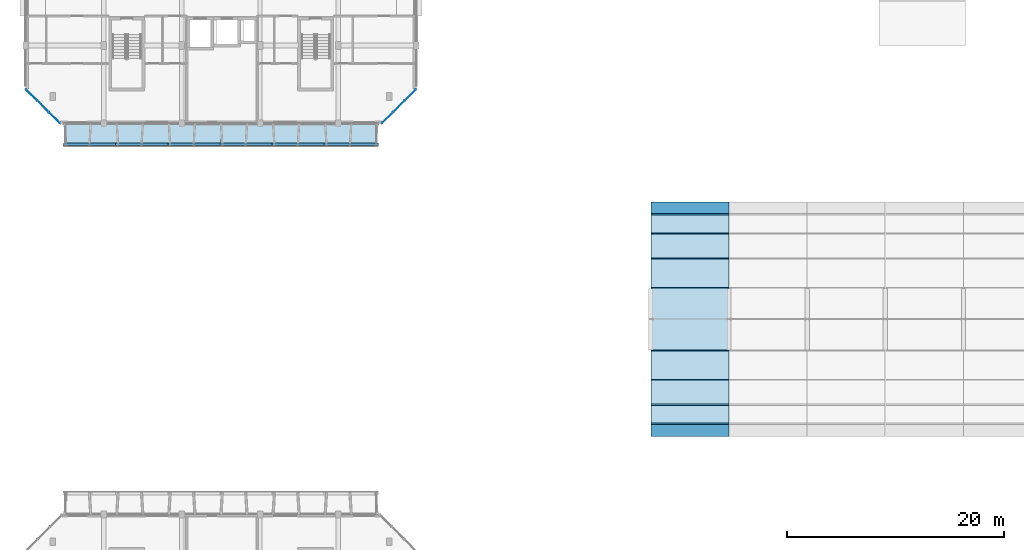
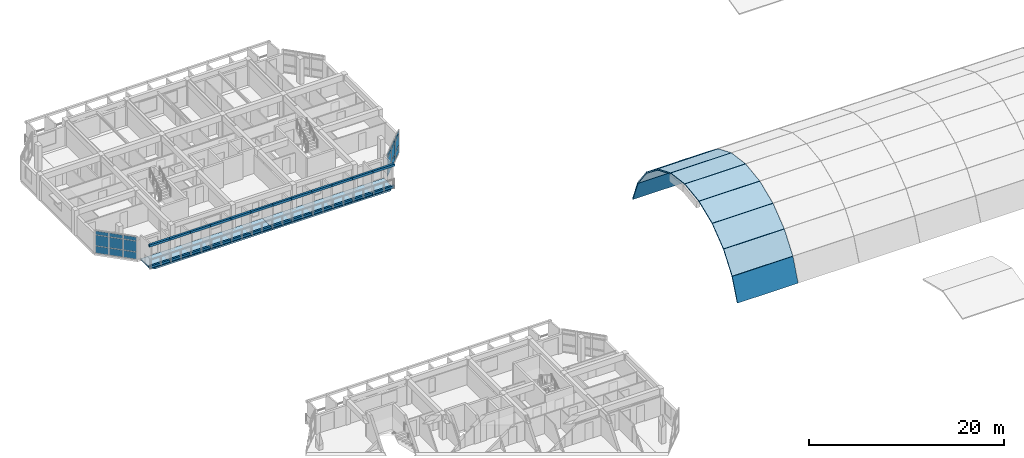
# One storey, part 13 of 51: 42 plates, 12 slabs, 3 elements without a shape of their own.
"""IFC4 building model written with IfcOpenShell, lengths in metres."""

from ifc_helpers import new_model, si_unit, direction, frame, origin, origin_2d, place, context, subcontext, project, spatial, polyline, rectangle, outline, extrude, material, layer, layer_set, type_object, element, aggregate, save


model = new_model("IFC4")

# Units and contexts
model_context = context("Model", 3, precision=1e-05, world=origin(), true_north=direction((0.0, 1.0)))
body_context = subcontext(model_context, "Body", "Model", "MODEL_VIEW")
ifc_project = project(units=[si_unit("LENGTHUNIT", "METRE"), si_unit("AREAUNIT", "SQUARE_METRE"), si_unit("VOLUMEUNIT", "CUBIC_METRE"), si_unit("PLANEANGLEUNIT", "RADIAN"), si_unit("MASSUNIT", "GRAM", prefix="KILO")], contexts=[model_context])

# Site, building, storey
site_placement = place(None, origin())
site = spatial("IfcSite", under=ifc_project, at=site_placement, CompositionType="ELEMENT")
building_placement = place(site_placement, origin())
building = spatial("IfcBuilding", under=site, at=building_placement, Name="Ochrevale Crest", CompositionType="ELEMENT")
storey_placement = place(building_placement, frame((0.0, 0.0, 11.85009765625)))
storey = spatial("IfcBuildingStorey", under=building, at=storey_placement, Name="L03", CompositionType="ELEMENT", Elevation=11.85009765625)

# Curtain wall, plates
ifc_material_1 = material(Name="Anodised aluminium 6063-T5", Category="aluminium")
ifc_layer_1 = layer(ifc_material_1, 0.14990234375)
ifc_layer_set_1 = layer_set([ifc_layer_1], Name="Anodised aluminium 6063-T5")
curtain_wall_type_1 = type_object("IfcCurtainWallType", Name="CW-WG-240x285", PredefinedType="NOTDEFINED", material=ifc_layer_set_1)
curtain_wall_1_placement = place(storey_placement, origin())
curtain_wall_1 = element("IfcCurtainWall", 1, at=curtain_wall_1_placement, inside=storey, type_object=curtain_wall_type_1, Name="Block B L03 chamfered corner wintergarden curtain wall 2", PredefinedType="NOTDEFINED")
ifc_material_2 = material(Name="Double-glazed low-E insulated glass unit", Category="glass")
ifc_layer_2 = layer(ifc_material_2, 0.028076171875)
ifc_layer_set_2 = layer_set([ifc_layer_2], Name="Double-glazed low-E insulated glass unit")
plate_type_1 = type_object("IfcPlateType", Name="CW-PNL-IGU28", PredefinedType="CURTAIN_PANEL", material=ifc_layer_set_2)
plate_1_placement = place(storey_placement, frame((33.3466796875, 72.546630859375, 0.06005859375), z_axis=(0.0, 0.0, 1.0), x_axis=(0.707106781187, 0.707106781187, 0.0)))
plate_1 = element("IfcPlate", 2, at=plate_1_placement, type_object=plate_type_1, Name="CW15 panel 1.1", PredefinedType="CURTAIN_PANEL", context=body_context, shape_type="SweptSolid", body=[
    extrude(rectangle(XDim=1.39599609375, YDim=0.028076171875, at=origin_2d()), origin(), (0.0, 0.0, 1.0), 0.860107421875),
])
plate_2_placement = place(storey_placement, frame((33.3466796875, 72.546630859375, 0.97998046875), z_axis=(0.0, 0.0, 1.0), x_axis=(0.707106781187, 0.707106781187, 0.0)))
plate_2 = element("IfcPlate", 3, at=plate_2_placement, type_object=plate_type_1, Name="CW15 panel 1.2", PredefinedType="CURTAIN_PANEL", context=body_context, shape_type="SweptSolid", body=[
    extrude(rectangle(XDim=1.39599609375, YDim=0.028076171875, at=origin_2d()), origin(), (0.0, 0.0, 1.0), 1.31494140625),
])
plate_3_placement = place(storey_placement, frame((33.3466796875, 72.546630859375, 2.35498046875), z_axis=(0.0, 0.0, 1.0), x_axis=(0.707106781187, 0.707106781187, 0.0)))
plate_3 = element("IfcPlate", 4, at=plate_3_placement, type_object=plate_type_1, Name="CW15 panel 1.3", PredefinedType="CURTAIN_PANEL", context=body_context, shape_type="SweptSolid", body=[
    extrude(rectangle(XDim=1.39599609375, YDim=0.028076171875, at=origin_2d()), origin(), (0.0, 0.0, 1.0), 0.4599609375),
])
plate_4_placement = place(storey_placement, frame((34.39990234375, 73.60009765625, 0.06005859375), z_axis=(0.0, 0.0, 1.0), x_axis=(0.707106781187, 0.707106781187, 0.0)))
plate_4 = element("IfcPlate", 5, at=plate_4_placement, type_object=plate_type_1, Name="CW15 panel 2.1", PredefinedType="CURTAIN_PANEL", context=body_context, shape_type="SweptSolid", body=[
    extrude(rectangle(XDim=1.43359375, YDim=0.028076171875, at=origin_2d()), origin(), (0.0, 0.0, 1.0), 0.860107421875),
])
plate_5_placement = place(storey_placement, frame((34.39990234375, 73.60009765625, 0.97998046875), z_axis=(0.0, 0.0, 1.0), x_axis=(0.707106781187, 0.707106781187, 0.0)))
plate_5 = element("IfcPlate", 6, at=plate_5_placement, type_object=plate_type_1, Name="CW15 panel 2.2", PredefinedType="CURTAIN_PANEL", context=body_context, shape_type="SweptSolid", body=[
    extrude(rectangle(XDim=1.43359375, YDim=0.028076171875, at=origin_2d()), origin(), (0.0, 0.0, 1.0), 1.31494140625),
])
plate_6_placement = place(storey_placement, frame((34.39990234375, 73.60009765625, 2.35498046875), z_axis=(0.0, 0.0, 1.0), x_axis=(0.707106781187, 0.707106781187, 0.0)))
plate_6 = element("IfcPlate", 7, at=plate_6_placement, type_object=plate_type_1, Name="CW15 panel 2.3", PredefinedType="CURTAIN_PANEL", context=body_context, shape_type="SweptSolid", body=[
    extrude(rectangle(XDim=1.43359375, YDim=0.028076171875, at=origin_2d()), origin(), (0.0, 0.0, 1.0), 0.4599609375),
])
plate_7_placement = place(storey_placement, frame((35.453369140625, 74.6533203125, 0.06005859375), z_axis=(0.0, 0.0, 1.0), x_axis=(0.707106781187, 0.707106781187, 0.0)))
plate_7 = element("IfcPlate", 8, at=plate_7_placement, type_object=plate_type_1, Name="CW15 panel 3.1", PredefinedType="CURTAIN_PANEL", context=body_context, shape_type="SweptSolid", body=[
    extrude(rectangle(XDim=1.39599609375, YDim=0.028076171875, at=origin_2d()), origin(), (0.0, 0.0, 1.0), 0.860107421875),
])
plate_8_placement = place(storey_placement, frame((35.453369140625, 74.6533203125, 0.97998046875), z_axis=(0.0, 0.0, 1.0), x_axis=(0.707106781187, 0.707106781187, 0.0)))
plate_8 = element("IfcPlate", 9, at=plate_8_placement, type_object=plate_type_1, Name="CW15 panel 3.2", PredefinedType="CURTAIN_PANEL", context=body_context, shape_type="SweptSolid", body=[
    extrude(rectangle(XDim=1.39599609375, YDim=0.028076171875, at=origin_2d()), origin(), (0.0, 0.0, 1.0), 1.31494140625),
])
plate_9_placement = place(storey_placement, frame((35.453369140625, 74.6533203125, 2.35498046875), z_axis=(0.0, 0.0, 1.0), x_axis=(0.707106781187, 0.707106781187, 0.0)))
plate_9 = element("IfcPlate", 10, at=plate_9_placement, type_object=plate_type_1, Name="CW15 panel 3.3", PredefinedType="CURTAIN_PANEL", context=body_context, shape_type="SweptSolid", body=[
    extrude(rectangle(XDim=1.39599609375, YDim=0.028076171875, at=origin_2d()), origin(), (0.0, 0.0, 1.0), 0.4599609375),
])
aggregate(curtain_wall_1, [plate_1, plate_2, plate_3, plate_4, plate_5, plate_6, plate_7, plate_8, plate_9])

ifc_layer_3 = layer(ifc_material_1, 0.14990234375)
ifc_layer_set_3 = layer_set([ifc_layer_3], Name="Anodised aluminium 6063-T5")
curtain_wall_type_2 = type_object("IfcCurtainWallType", Name="CW-WG-280x285", PredefinedType="NOTDEFINED", material=ifc_layer_set_3)
curtain_wall_2_placement = place(storey_placement, origin())
curtain_wall_2 = element("IfcCurtainWall", 11, at=curtain_wall_2_placement, inside=storey, type_object=curtain_wall_type_2, Name="Block B L03 chamfered corner wintergarden curtain wall 8", PredefinedType="NOTDEFINED")
ifc_material_3 = material(Name="Acoustic laminated low-E insulated glass unit", Category="glass")
ifc_layer_4 = layer(ifc_material_3, 0.0380859375)
ifc_layer_set_4 = layer_set([ifc_layer_4], Name="Acoustic laminated low-E insulated glass unit")
plate_type_2 = type_object("IfcPlateType", Name="CW-PNL-IGU38", PredefinedType="CURTAIN_PANEL", material=ifc_layer_set_4)
plate_10_placement = place(storey_placement, frame((0.546630859375, 74.6533203125, 0.06005859375), z_axis=(0.0, 0.0, 1.0), x_axis=(0.707106781187, -0.707106781187, 0.0)))
plate_10 = element("IfcPlate", 12, at=plate_10_placement, type_object=plate_type_2, Name="CW16 panel 1.1", PredefinedType="CURTAIN_PANEL", context=body_context, shape_type="SweptSolid", body=[
    extrude(rectangle(XDim=1.39599609375, YDim=0.0380859375, at=origin_2d()), origin(), (0.0, 0.0, 1.0), 0.860107421875),
])
plate_11_placement = place(storey_placement, frame((0.546630859375, 74.6533203125, 0.97998046875), z_axis=(0.0, 0.0, 1.0), x_axis=(0.707106781187, -0.707106781187, 0.0)))
plate_11 = element("IfcPlate", 13, at=plate_11_placement, type_object=plate_type_2, Name="CW16 panel 1.2", PredefinedType="CURTAIN_PANEL", context=body_context, shape_type="SweptSolid", body=[
    extrude(rectangle(XDim=1.39599609375, YDim=0.0380859375, at=origin_2d()), origin(), (0.0, 0.0, 1.0), 1.31494140625),
])
plate_12_placement = place(storey_placement, frame((0.546630859375, 74.6533203125, 2.35498046875), z_axis=(0.0, 0.0, 1.0), x_axis=(0.707106781187, -0.707106781187, 0.0)))
plate_12 = element("IfcPlate", 14, at=plate_12_placement, type_object=plate_type_2, Name="CW16 panel 1.3", PredefinedType="CURTAIN_PANEL", context=body_context, shape_type="SweptSolid", body=[
    extrude(rectangle(XDim=1.39599609375, YDim=0.0380859375, at=origin_2d()), origin(), (0.0, 0.0, 1.0), 0.4599609375),
])
plate_13_placement = place(storey_placement, frame((1.60009765625, 73.60009765625, 0.06005859375), z_axis=(0.0, 0.0, 1.0), x_axis=(0.707106781187, -0.707106781187, 0.0)))
plate_13 = element("IfcPlate", 15, at=plate_13_placement, type_object=plate_type_2, Name="CW16 panel 2.1", PredefinedType="CURTAIN_PANEL", context=body_context, shape_type="SweptSolid", body=[
    extrude(rectangle(XDim=1.43359375, YDim=0.0380859375, at=origin_2d()), origin(), (0.0, 0.0, 1.0), 0.860107421875),
])
plate_14_placement = place(storey_placement, frame((1.60009765625, 73.60009765625, 0.97998046875), z_axis=(0.0, 0.0, 1.0), x_axis=(0.707106781187, -0.707106781187, 0.0)))
plate_14 = element("IfcPlate", 16, at=plate_14_placement, type_object=plate_type_2, Name="CW16 panel 2.2", PredefinedType="CURTAIN_PANEL", context=body_context, shape_type="SweptSolid", body=[
    extrude(rectangle(XDim=1.43359375, YDim=0.0380859375, at=origin_2d()), origin(), (0.0, 0.0, 1.0), 1.31494140625),
])
plate_15_placement = place(storey_placement, frame((1.60009765625, 73.60009765625, 2.35498046875), z_axis=(0.0, 0.0, 1.0), x_axis=(0.707106781187, -0.707106781187, 0.0)))
plate_15 = element("IfcPlate", 17, at=plate_15_placement, type_object=plate_type_2, Name="CW16 panel 2.3", PredefinedType="CURTAIN_PANEL", context=body_context, shape_type="SweptSolid", body=[
    extrude(rectangle(XDim=1.43359375, YDim=0.0380859375, at=origin_2d()), origin(), (0.0, 0.0, 1.0), 0.4599609375),
])
plate_16_placement = place(storey_placement, frame((2.6533203125, 72.546630859375, 0.06005859375), z_axis=(0.0, 0.0, 1.0), x_axis=(0.707106781187, -0.707106781187, 0.0)))
plate_16 = element("IfcPlate", 18, at=plate_16_placement, type_object=plate_type_2, Name="CW16 panel 3.1", PredefinedType="CURTAIN_PANEL", context=body_context, shape_type="SweptSolid", body=[
    extrude(rectangle(XDim=1.39599609375, YDim=0.0380859375, at=origin_2d()), origin(), (0.0, 0.0, 1.0), 0.860107421875),
])
plate_17_placement = place(storey_placement, frame((2.6533203125, 72.546630859375, 0.97998046875), z_axis=(0.0, 0.0, 1.0), x_axis=(0.707106781187, -0.707106781187, 0.0)))
plate_17 = element("IfcPlate", 19, at=plate_17_placement, type_object=plate_type_2, Name="CW16 panel 3.2", PredefinedType="CURTAIN_PANEL", context=body_context, shape_type="SweptSolid", body=[
    extrude(rectangle(XDim=1.39599609375, YDim=0.0380859375, at=origin_2d()), origin(), (0.0, 0.0, 1.0), 1.31494140625),
])
plate_18_placement = place(storey_placement, frame((2.6533203125, 72.546630859375, 2.35498046875), z_axis=(0.0, 0.0, 1.0), x_axis=(0.707106781187, -0.707106781187, 0.0)))
plate_18 = element("IfcPlate", 20, at=plate_18_placement, type_object=plate_type_2, Name="CW16 panel 3.3", PredefinedType="CURTAIN_PANEL", context=body_context, shape_type="SweptSolid", body=[
    extrude(rectangle(XDim=1.39599609375, YDim=0.0380859375, at=origin_2d()), origin(), (0.0, 0.0, 1.0), 0.4599609375),
])
aggregate(curtain_wall_2, [plate_10, plate_11, plate_12, plate_13, plate_14, plate_15, plate_16, plate_17, plate_18])

# Plates
ifc_material_4 = material(Name="Precast concrete C40/50", Category="concrete")
ifc_layer_5 = layer(ifc_material_4, 0.06005859375)
ifc_layer_set_5 = layer_set([ifc_layer_5], Name="Precast concrete C40/50")
plate_type_3 = type_object("IfcPlateType", Name="PLT-HC-HEAD-60", PredefinedType="USERDEFINED", material=ifc_layer_set_5)
for number, where, z_axis, x_axis, name in (
    (21, (4.800048828125, 70.10009765625, 2.669921875), (0.0, 0.0, 1.0), (1.0, 0.0, 0.0), "Block B L03 S honeycomb arched lintel fascia 1"),
    (22, (7.199951171875, 70.10009765625, 2.669921875), (0.0, 0.0, 1.0), (1.0, 0.0, 0.0), "Block B L03 S honeycomb arched lintel fascia 2"),
    (23, (9.60009765625, 70.10009765625, 2.669921875), (0.0, 0.0, 1.0), (1.0, 0.0, 0.0), "Block B L03 S honeycomb arched lintel fascia 3"),
    (24, (12.0, 70.10009765625, 2.669921875), (0.0, 0.0, 1.0), (1.0, 0.0, 0.0), "Block B L03 S honeycomb arched lintel fascia 4"),
    (25, (14.39990234375, 70.10009765625, 2.669921875), (0.0, 0.0, 1.0), (1.0, 0.0, 0.0), "Block B L03 S honeycomb arched lintel fascia 5"),
    (26, (16.800048828125, 70.10009765625, 2.669921875), (0.0, 0.0, 1.0), (1.0, 0.0, 0.0), "Block B L03 S honeycomb arched lintel fascia 6"),
    (27, (19.199951171875, 70.10009765625, 2.669921875), (0.0, 0.0, 1.0), (1.0, 0.0, 0.0), "Block B L03 S honeycomb arched lintel fascia 7"),
    (28, (21.60009765625, 70.10009765625, 2.669921875), (0.0, 0.0, 1.0), (1.0, 0.0, 0.0), "Block B L03 S honeycomb arched lintel fascia 8"),
    (29, (24.0, 70.10009765625, 2.669921875), (0.0, 0.0, 1.0), (1.0, 0.0, 0.0), "Block B L03 S honeycomb arched lintel fascia 9"),
    (30, (26.39990234375, 70.10009765625, 2.669921875), (0.0, 0.0, 1.0), (1.0, 0.0, 0.0), "Block B L03 S honeycomb arched lintel fascia 10"),
    (31, (28.800048828125, 70.10009765625, 2.669921875), (0.0, 0.0, 1.0), (1.0, 0.0, 0.0), "Block B L03 S honeycomb arched lintel fascia 11"),
    (32, (31.199951171875, 70.10009765625, 2.669921875), (0.0, 0.0, 1.0), (1.0, 0.0, 0.0), "Block B L03 S honeycomb arched lintel fascia 12"),
):
    element("IfcPlate", number, at=place(storey_placement, frame(where, z_axis=z_axis, x_axis=x_axis)), inside=storey, type_object=plate_type_3, Name=name, ObjectType="FACADE FASCIA PLATE", PredefinedType="USERDEFINED", context=body_context, shape_type="SweptSolid", body=[
        extrude(rectangle(XDim=2.60009765625, YDim=0.239990234375, at=origin_2d()), origin(), (0.0, 0.0, 1.0), 0.280029296875),
    ])
ifc_layer_6 = layer(ifc_material_4, 0.044921875)
ifc_layer_set_6 = layer_set([ifc_layer_6], Name="Precast concrete C40/50")
plate_type_4 = type_object("IfcPlateType", Name="PLT-HC-SILL-45", PredefinedType="USERDEFINED", material=ifc_layer_set_6)
for number, where, z_axis, x_axis, name in (
    (33, (4.800048828125, 70.10009765625, 0.0), (0.0, 0.0, 1.0), (1.0, 0.0, 0.0), "Block B L03 S honeycomb sill coping plate 1"),
    (34, (7.199951171875, 70.10009765625, 0.0), (0.0, 0.0, 1.0), (1.0, 0.0, 0.0), "Block B L03 S honeycomb sill coping plate 2"),
    (35, (9.60009765625, 70.10009765625, 0.0), (0.0, 0.0, 1.0), (1.0, 0.0, 0.0), "Block B L03 S honeycomb sill coping plate 3"),
    (36, (12.0, 70.10009765625, 0.0), (0.0, 0.0, 1.0), (1.0, 0.0, 0.0), "Block B L03 S honeycomb sill coping plate 4"),
    (37, (14.39990234375, 70.10009765625, 0.0), (0.0, 0.0, 1.0), (1.0, 0.0, 0.0), "Block B L03 S honeycomb sill coping plate 5"),
    (38, (16.800048828125, 70.10009765625, 0.0), (0.0, 0.0, 1.0), (1.0, 0.0, 0.0), "Block B L03 S honeycomb sill coping plate 6"),
    (39, (19.199951171875, 70.10009765625, 0.0), (0.0, 0.0, 1.0), (1.0, 0.0, 0.0), "Block B L03 S honeycomb sill coping plate 7"),
    (40, (21.60009765625, 70.10009765625, 0.0), (0.0, 0.0, 1.0), (1.0, 0.0, 0.0), "Block B L03 S honeycomb sill coping plate 8"),
    (41, (24.0, 70.10009765625, 0.0), (0.0, 0.0, 1.0), (1.0, 0.0, 0.0), "Block B L03 S honeycomb sill coping plate 9"),
    (42, (26.39990234375, 70.10009765625, 0.0), (0.0, 0.0, 1.0), (1.0, 0.0, 0.0), "Block B L03 S honeycomb sill coping plate 10"),
    (43, (28.800048828125, 70.10009765625, 0.0), (0.0, 0.0, 1.0), (1.0, 0.0, 0.0), "Block B L03 S honeycomb sill coping plate 11"),
    (44, (31.199951171875, 70.10009765625, 0.0), (0.0, 0.0, 1.0), (1.0, 0.0, 0.0), "Block B L03 S honeycomb sill coping plate 12"),
):
    element("IfcPlate", number, at=place(storey_placement, frame(where, z_axis=z_axis, x_axis=x_axis)), inside=storey, type_object=plate_type_4, Name=name, ObjectType="SILL COPING PLATE", PredefinedType="USERDEFINED", context=body_context, shape_type="SweptSolid", body=[
        extrude(rectangle(XDim=2.60009765625, YDim=0.219970703125, at=origin_2d()), origin(), (0.0, 0.0, 1.0), 0.260009765625),
    ])

# Slabs
ifc_layer_7 = layer(ifc_material_4, 0.199951171875)
ifc_layer_set_7 = layer_set([ifc_layer_7], Name="Precast concrete C40/50")
slab_type_1 = type_object("IfcSlabType", Name="SLB-BAL-200", PredefinedType="FLOOR", material=ifc_layer_set_7)
slab_1_placement = place(storey_placement, frame((0.0, 0.0, -0.2001953125)))
element("IfcSlab", 45, at=slab_1_placement, inside=storey, type_object=slab_type_1, Name="Block B L03 S1 precast loggia balcony slab", PredefinedType="FLOOR", context=body_context, shape_type="SweptSolid", body=[
    extrude(outline(polyline([(4.050048828125, 69.89990234375), (18.0, 69.89990234375), (18.0, 72.0), (3.60009765625, 72.0), (3.60009765625, 70.35009765625), (4.050048828125, 69.89990234375)])), origin(), (0.0, 0.0, 1.0), 0.2001953125),
])
slab_2_placement = place(storey_placement, frame((0.0, 0.0, -0.2001953125)))
element("IfcSlab", 46, at=slab_2_placement, inside=storey, type_object=slab_type_1, Name="Block B L03 S2 precast loggia balcony slab", PredefinedType="FLOOR", context=body_context, shape_type="SweptSolid", body=[
    extrude(outline(polyline([(18.0, 69.89990234375), (31.949951171875, 69.89990234375), (32.39990234375, 70.35009765625), (32.39990234375, 72.0), (18.0, 72.0), (18.0, 69.89990234375)])), origin(), (0.0, 0.0, 1.0), 0.2001953125),
])

# Roof, slabs
ifc_layer_8 = layer(ifc_material_4, 0.135009765625)
ifc_layer_set_8 = layer_set([ifc_layer_8], Name="Precast concrete C40/50")
roof_type = type_object("IfcRoofType", Name="ROOF-BARREL-HALL", PredefinedType="BARREL_ROOF", material=ifc_layer_set_8)
roof_placement = place(storey_placement, origin())
roof = element("IfcRoof", 47, at=roof_placement, inside=storey, type_object=roof_type, Name="Community hall barrel vault bay V1", PredefinedType="BARREL_ROOF")
ifc_layer_9 = layer(ifc_material_4, 0.135009765625)
ifc_layer_set_9 = layer_set([ifc_layer_9], Name="Precast concrete C40/50")
slab_type_2 = type_object("IfcSlabType", Name="SLB-VAULT-135", PredefinedType="ROOF", material=ifc_layer_set_9)
slab_3_placement = place(storey_placement, frame((57.610107421875, 43.204345703125, -7.039306640625), z_axis=(0.0, -0.928326408732, 0.371766161519), x_axis=(1.0, 0.0, 0.0)))
slab_3 = element("IfcSlab", 48, at=slab_3_placement, type_object=slab_type_2, Name="Community hall barrel-vault precast roof facet B1-S01", PredefinedType="ROOF", context=body_context, shape_type="SweptSolid", body=[
    extrude(outline(polyline([(0.0, 0.0), (7.179931640625, 0.0), (7.179931640625, 2.9144559292945313), (0.0, 2.9144559292945313), (0.0, 0.0)])), origin(), (0.0, 0.0, -1.0), 0.135009765625),
])
slab_4_placement = place(storey_placement, frame((57.610107421875, 44.29931640625, -4.3134765625), z_axis=(0.0, -0.798912919198, 0.601446712135), x_axis=(1.0, 0.0, 0.0)))
slab_4 = element("IfcSlab", 49, at=slab_4_placement, type_object=slab_type_2, Name="Community hall barrel-vault precast roof facet B1-S02", PredefinedType="ROOF", context=body_context, shape_type="SweptSolid", body=[
    extrude(outline(polyline([(0.0, 0.0), (7.179931640625, 0.0), (7.179931640625, 2.914116099583117), (0.0, 2.914116099583117), (0.0, 0.0)])), origin(), (0.0, 0.0, -1.0), 0.135009765625),
])
slab_5_placement = place(storey_placement, frame((57.610107421875, 46.068359375, -1.96875), z_axis=(0.0, -0.613940613515, 0.789352217376), x_axis=(1.0, 0.0, 0.0)))
slab_5 = element("IfcSlab", 50, at=slab_5_placement, type_object=slab_type_2, Name="Community hall barrel-vault precast roof facet B1-S03", PredefinedType="ROOF", context=body_context, shape_type="SweptSolid", body=[
    extrude(outline(polyline([(0.0, 0.0), (7.179931640625, 0.0), (7.179931640625, 2.914462085153314), (0.0, 2.914462085153314), (0.0, 0.0)])), origin(), (0.0, 0.0, -1.0), 0.135009765625),
])
slab_6_placement = place(storey_placement, frame((57.610107421875, 48.388916015625, -0.167724609375), z_axis=(0.0, -0.386292257236, 0.922376437253), x_axis=(1.0, 0.0, 0.0)))
slab_6 = element("IfcSlab", 51, at=slab_6_placement, type_object=slab_type_2, Name="Community hall barrel-vault precast roof facet B1-S04", PredefinedType="ROOF", context=body_context, shape_type="SweptSolid", body=[
    extrude(outline(polyline([(0.0, 0.0), (7.179931640625, 0.0), (7.179931640625, 2.9141987725270013), (0.0, 2.9141987725270013), (0.0, 0.0)])), origin(), (0.0, 0.0, -1.0), 0.135009765625),
])
slab_7_placement = place(storey_placement, frame((57.610107421875, 51.099609375, 0.964111328125), z_axis=(0.0, -0.131867379706, 0.991267367651), x_axis=(1.0, 0.0, 0.0)))
slab_7 = element("IfcSlab", 52, at=slab_7_placement, type_object=slab_type_2, Name="Community hall barrel-vault precast roof facet B1-S05", PredefinedType="ROOF", context=body_context, shape_type="SweptSolid", body=[
    extrude(outline(polyline([(0.0, 0.0), (7.179931640625, 0.0), (7.179931640625, 2.9141198119390306), (0.0, 2.9141198119390306), (0.0, 0.0)])), origin(), (0.0, 0.0, -1.0), 0.135009765625),
])
slab_8_placement = place(storey_placement, frame((57.610107421875, 54.01171875, 1.348388671875), z_axis=(0.0, 0.131867379706, 0.991267367651), x_axis=(1.0, 0.0, 0.0)))
slab_8 = element("IfcSlab", 53, at=slab_8_placement, type_object=slab_type_2, Name="Community hall barrel-vault precast roof facet B1-S06", PredefinedType="ROOF", context=body_context, shape_type="SweptSolid", body=[
    extrude(outline(polyline([(0.0, 0.0), (7.179931640625, 0.0), (7.179931640625, 2.9141198119390306), (0.0, 2.9141198119390306), (0.0, 0.0)])), origin(), (0.0, 0.0, -1.0), 0.135009765625),
])
slab_9_placement = place(storey_placement, frame((57.610107421875, 56.923095703125, 0.9580078125), z_axis=(0.0, 0.386292257236, 0.922376437253), x_axis=(1.0, 0.0, 0.0)))
slab_9 = element("IfcSlab", 54, at=slab_9_placement, type_object=slab_type_2, Name="Community hall barrel-vault precast roof facet B1-S07", PredefinedType="ROOF", context=body_context, shape_type="SweptSolid", body=[
    extrude(outline(polyline([(0.0, 0.0), (7.179931640625, 0.0), (7.179931640625, 2.9141987725270013), (0.0, 2.9141987725270013), (0.0, 0.0)])), origin(), (0.0, 0.0, -1.0), 0.135009765625),
])
slab_10_placement = place(storey_placement, frame((57.610107421875, 59.631103515625, -0.179443359375), z_axis=(0.0, 0.613940613515, 0.789352217376), x_axis=(1.0, 0.0, 0.0)))
slab_10 = element("IfcSlab", 55, at=slab_10_placement, type_object=slab_type_2, Name="Community hall barrel-vault precast roof facet B1-S08", PredefinedType="ROOF", context=body_context, shape_type="SweptSolid", body=[
    extrude(outline(polyline([(0.0, 0.0), (7.179931640625, 0.0), (7.179931640625, 2.914462085153314), (0.0, 2.914462085153314), (0.0, 0.0)])), origin(), (0.0, 0.0, -1.0), 0.135009765625),
])
slab_11_placement = place(storey_placement, frame((57.610107421875, 61.947998046875, -1.9853515625), z_axis=(0.0, 0.798912919198, 0.601446712135), x_axis=(1.0, 0.0, 0.0)))
slab_11 = element("IfcSlab", 56, at=slab_11_placement, type_object=slab_type_2, Name="Community hall barrel-vault precast roof facet B1-S09", PredefinedType="ROOF", context=body_context, shape_type="SweptSolid", body=[
    extrude(outline(polyline([(0.0, 0.0), (7.179931640625, 0.0), (7.179931640625, 2.914116099583117), (0.0, 2.914116099583117), (0.0, 0.0)])), origin(), (0.0, 0.0, -1.0), 0.135009765625),
])
slab_12_placement = place(storey_placement, frame((57.610107421875, 63.712158203125, -4.333740234375), z_axis=(0.0, 0.928326408732, 0.371766161519), x_axis=(1.0, 0.0, 0.0)))
slab_12 = element("IfcSlab", 57, at=slab_12_placement, type_object=slab_type_2, Name="Community hall barrel-vault precast roof facet B1-S10", PredefinedType="ROOF", context=body_context, shape_type="SweptSolid", body=[
    extrude(outline(polyline([(0.0, 0.0), (7.179931640625, 0.0), (7.179931640625, 2.9144559292945313), (0.0, 2.9144559292945313), (0.0, 0.0)])), origin(), (0.0, 0.0, -1.0), 0.135009765625),
])
aggregate(roof, [slab_3, slab_4, slab_5, slab_6, slab_7, slab_8, slab_9, slab_10, slab_11, slab_12])

save(model, "model.ifc")
